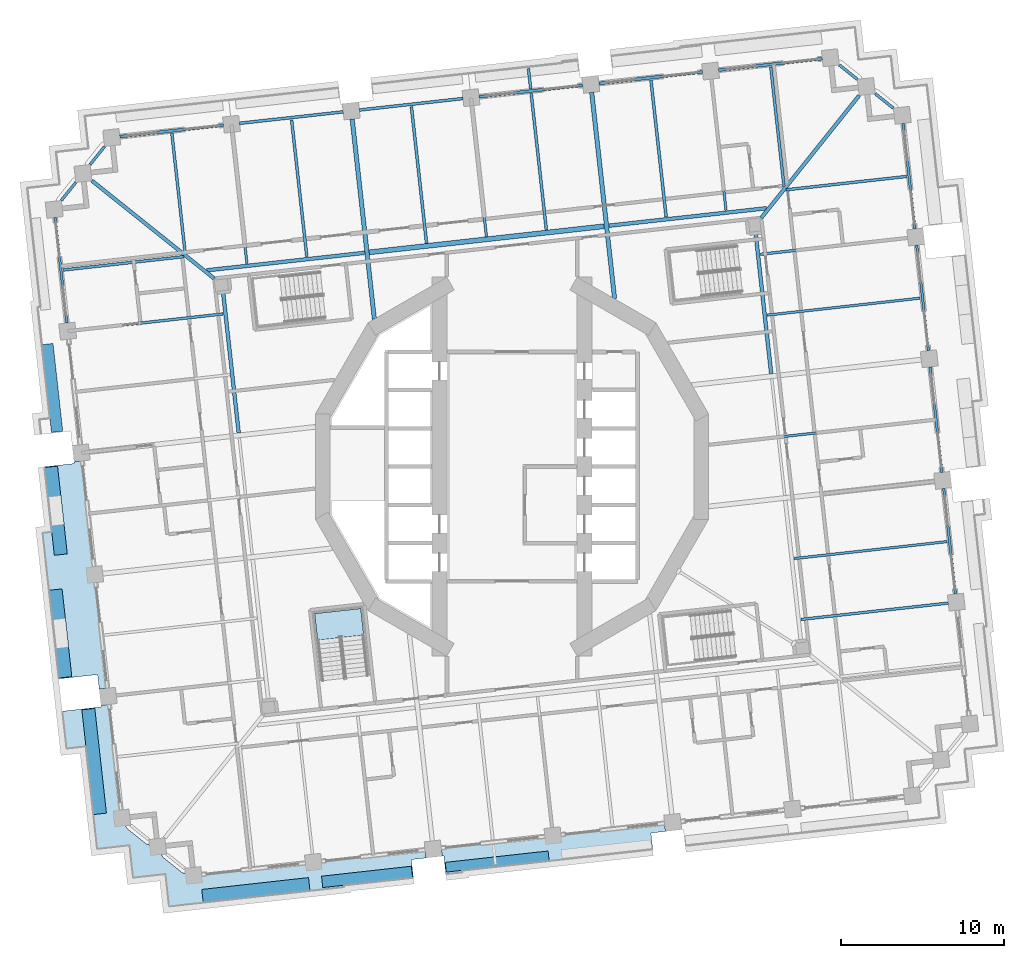
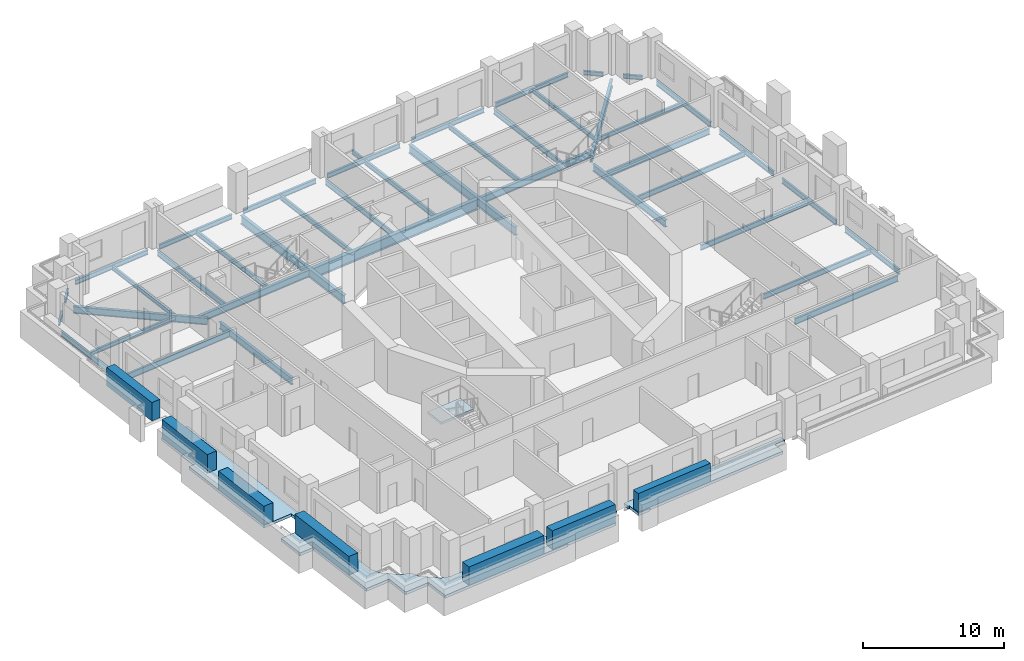
# One storey, part 2 of 19: 42 beams, 7 plates, 4 slabs, 1 element without a shape of its own.
"""IFC4 building model written with IfcOpenShell, lengths in metres."""

from ifc_helpers import new_model, si_unit, direction, frame, origin, origin_2d, place, context, subcontext, project, spatial, polyline, rectangle, i_section, outline, extrude, material, layer, layer_set, material_profile, profile_set, type_object, element, aggregate, save


model = new_model("IFC4")

# Units and contexts
model_context = context("Model", 3, precision=1e-05, world=origin(), true_north=direction((0.0, 1.0)))
body_context = subcontext(model_context, "Body", "Model", "MODEL_VIEW")
ifc_project = project(units=[si_unit("LENGTHUNIT", "METRE"), si_unit("AREAUNIT", "SQUARE_METRE"), si_unit("VOLUMEUNIT", "CUBIC_METRE"), si_unit("PLANEANGLEUNIT", "RADIAN"), si_unit("MASSUNIT", "GRAM", prefix="KILO")], contexts=[model_context])

# Site, building, storey
site_placement = place(None, origin())
site = spatial("IfcSite", under=ifc_project, at=site_placement, CompositionType="ELEMENT")
building_placement = place(site_placement, origin())
building = spatial("IfcBuilding", under=site, at=building_placement, Name="Cantera Rosa Tower", CompositionType="ELEMENT")
storey_placement = place(building_placement, frame((0.0, 0.0, 53.89990234375)))
storey = spatial("IfcBuildingStorey", under=building, at=storey_placement, Name="L10", CompositionType="ELEMENT", Elevation=53.89990234375)

# Beams
ifc_material_1 = material(Name="Steel ASTM A992 (Fy 345 MPa)", Category="steel")
ifc_material_profile_1 = material_profile(ifc_material_1, i_section(OverallWidth=0.154052734375, OverallDepth=0.4599609375, WebThickness=0.009033203125, FlangeThickness=0.015380859375, FilletRadius=0.01025390625, at=origin_2d()), Name="W460X68")
ifc_profile_set_1 = profile_set([ifc_material_profile_1], Name="Steel ASTM A992 (Fy 345 MPa)")
beam_type_1 = type_object("IfcBeamType", Name="STEEL BEAM W460X68", PredefinedType="BEAM", material=ifc_profile_set_1)
beam_1_placement = place(storey_placement, frame((12.249755859375, 23.796630859375, -0.47998046875), z_axis=(0.110312435488, -0.993896959738, 0.0), x_axis=(0.993896959738, 0.110312435488, 0.0)))
element("IfcBeam", 1, at=beam_1_placement, inside=storey, type_object=beam_type_1, Name="G-Z1-05 L10", PredefinedType="BEAM", context=body_context, shape_type="SweptSolid", body=[
    extrude(i_section(OverallWidth=0.154052734375, OverallDepth=0.4599609375, WebThickness=0.009033203125, FlangeThickness=0.015380859375, FilletRadius=0.01025390625, at=origin_2d()), origin(), (0.0, 0.0, 1.0), 8.10009765625),
])
for number, where, z_axis, x_axis, name in (
    (2, (-2.4599609375, 22.163818359375, -0.47998046875), (0.110315740112, -0.993896592953, 0.0), (0.993896592953, 0.110315740112, 0.0), "G-Z1-07 L10"),
    (3, (-17.169677734375, 20.53125, -0.47998046875), (0.110315740112, -0.993896592953, 0.0), (0.993896592953, 0.110315740112, 0.0), "G-Z1-09 L10"),
):
    element("IfcBeam", number, at=place(storey_placement, frame(where, z_axis=z_axis, x_axis=x_axis)), inside=storey, type_object=beam_type_1, Name=name, PredefinedType="BEAM", context=body_context, shape_type="SweptSolid", body=[
        extrude(i_section(OverallWidth=0.154052734375, OverallDepth=0.4599609375, WebThickness=0.009033203125, FlangeThickness=0.015380859375, FilletRadius=0.01025390625, at=origin_2d()), origin(), (0.0, 0.0, 1.0), 8.099853515625),
    ])
ifc_material_2 = material(Name="Steel ASTM A992 (Fy 345 MPa)", Category="steel")
ifc_material_profile_2 = material_profile(ifc_material_2, i_section(OverallWidth=0.166015625, OverallDepth=0.528076171875, WebThickness=0.009765625, FlangeThickness=0.013671875, FilletRadius=0.0126953125, at=origin_2d()), Name="W530X74")
ifc_profile_set_2 = profile_set([ifc_material_profile_2], Name="Steel ASTM A992 (Fy 345 MPa)")
beam_type_2 = type_object("IfcBeamType", Name="STEEL BEAM W530X74", PredefinedType="BEAM", material=ifc_profile_set_2)
for number, where, z_axis, x_axis, name in (
    (4, (26.78759765625, -8.376220703125, -0.513916015625), (-0.993899428859, -0.110290186845, 0.0), (0.110290186845, -0.993899428859, 0.0), "G-Z1-01 L10"),
    (5, (24.298828125, 14.046142578125, -0.513916015625), (-0.993896161189, -0.110319630049, 0.0), (0.110319630049, -0.993896161189, 0.0), "G-Z1-04 L10"),
    (6, (-26.78759765625, 8.376220703125, -0.513916015625), (0.993899428859, 0.110290186845, 0.0), (-0.110290186845, 0.993899428859, 0.0), "G-Z1-15 L10"),
):
    element("IfcBeam", number, at=place(storey_placement, frame(where, z_axis=z_axis, x_axis=x_axis)), inside=storey, type_object=beam_type_2, Name=name, PredefinedType="BEAM", context=body_context, shape_type="SweptSolid", body=[
        extrude(i_section(OverallWidth=0.166015625, OverallDepth=0.528076171875, WebThickness=0.009765625, FlangeThickness=0.013671875, FilletRadius=0.0126953125, at=origin_2d()), origin(), (0.0, 0.0, 1.0), 9.10009765625),
    ])
ifc_material_3 = material(Name="Steel ASTM A992 (Fy 345 MPa)", Category="steel")
ifc_material_profile_3 = material_profile(ifc_material_3, i_section(OverallWidth=0.22802734375, OverallDepth=0.60205078125, WebThickness=0.010498046875, FlangeThickness=0.014892578125, FilletRadius=0.0126953125, at=origin_2d()), Name="W610X101")
ifc_profile_set_3 = profile_set([ifc_material_profile_3], Name="Steel ASTM A992 (Fy 345 MPa)")
beam_type_3 = type_object("IfcBeamType", Name="STEEL BEAM W610X101", PredefinedType="BEAM", material=ifc_profile_set_3)
beam_2_placement = place(storey_placement, frame((21.31591796875, 22.79052734375, -0.55078125), z_axis=(-0.624787924463, -0.780794498857, 0.0), x_axis=(0.780794498857, -0.624787924463, 0.0)))
element("IfcBeam", 7, at=beam_2_placement, inside=storey, type_object=beam_type_3, Name="CB-Z1-01 L10", PredefinedType="BEAM", context=body_context, shape_type="SweptSolid", body=[
    extrude(i_section(OverallWidth=0.22802734375, OverallDepth=0.60205078125, WebThickness=0.010498046875, FlangeThickness=0.014892578125, FilletRadius=0.0126953125, at=origin_2d()), origin(), (0.0, 0.0, 1.0), 9.616455078125),
])
beam_3_placement = place(storey_placement, frame((-25.794677734375, 17.561767578125, -0.55078125), z_axis=(0.78078211406, -0.62480340137, 0.0), x_axis=(0.62480340137, 0.78078211406, 0.0)))
element("IfcBeam", 8, at=beam_3_placement, inside=storey, type_object=beam_type_3, Name="CB-Z1-02 L10", PredefinedType="BEAM", context=body_context, shape_type="SweptSolid", body=[
    extrude(i_section(OverallWidth=0.22802734375, OverallDepth=0.60205078125, WebThickness=0.010498046875, FlangeThickness=0.014892578125, FilletRadius=0.0126953125, at=origin_2d()), origin(), (0.0, 0.0, 1.0), 9.61669921875),
])
for number, where, z_axis, x_axis, name in (
    (9, (15.918212890625, 5.70068359375, -0.55078125), (-0.110298932846, 0.993898458301, 0.0), (-0.993898458301, -0.110298932846, 0.0), "RB-Z1-09 L10"),
    (10, (-16.781005859375, 2.071533203125, -0.55078125), (-0.110298932846, 0.993898458301, 0.0), (-0.993898458301, -0.110298932846, 0.0), "RB-Z1-12 L10"),
):
    element("IfcBeam", number, at=place(storey_placement, frame(where, z_axis=z_axis, x_axis=x_axis)), inside=storey, type_object=beam_type_3, Name=name, PredefinedType="BEAM", context=body_context, shape_type="SweptSolid", body=[
        extrude(i_section(OverallWidth=0.22802734375, OverallDepth=0.60205078125, WebThickness=0.010498046875, FlangeThickness=0.014892578125, FilletRadius=0.0126953125, at=origin_2d()), origin(), (0.0, 0.0, 1.0), 8.68994140625),
    ])
ifc_material_4 = material(Name="Steel ASTM A992 (Fy 345 MPa)", Category="steel")
ifc_material_profile_4 = material_profile(ifc_material_4, i_section(OverallWidth=0.22900390625, OverallDepth=0.612060546875, WebThickness=0.011962890625, FlangeThickness=0.01953125, FilletRadius=0.0126953125, at=origin_2d()), Name="W610X125")
ifc_profile_set_4 = profile_set([ifc_material_profile_4], Name="Steel ASTM A992 (Fy 345 MPa)")
beam_type_4 = type_object("IfcBeamType", Name="STEEL BEAM W610X125", PredefinedType="BEAM", material=ifc_profile_set_4)
beam_4_placement = place(storey_placement, frame((-18.744384765625, 12.055908203125, -0.555908203125), z_axis=(0.993898383269, 0.110299608956, 0.0), x_axis=(-0.110299608956, 0.993898383269, 0.0)))
element("IfcBeam", 11, at=beam_4_placement, inside=storey, type_object=beam_type_4, Name="RB-Z1-01 L10", PredefinedType="BEAM", context=body_context, shape_type="SweptSolid", body=[
    extrude(i_section(OverallWidth=0.22900390625, OverallDepth=0.612060546875, WebThickness=0.011962890625, FlangeThickness=0.01953125, FilletRadius=0.0126953125, at=origin_2d()), origin(), (0.0, 0.0, 1.0), 9.750244140625),
])
beam_5_placement = place(storey_placement, frame((5.9541015625, 14.797119140625, -0.555908203125), z_axis=(0.993898078625, 0.110302354035, 0.0), x_axis=(-0.110302354035, 0.993898078625, 0.0)))
element("IfcBeam", 12, at=beam_5_placement, inside=storey, type_object=beam_type_4, Name="RB-Z1-03 L10", PredefinedType="BEAM", context=body_context, shape_type="SweptSolid", body=[
    extrude(i_section(OverallWidth=0.22900390625, OverallDepth=0.612060546875, WebThickness=0.011962890625, FlangeThickness=0.01953125, FilletRadius=0.0126953125, at=origin_2d()), origin(), (0.0, 0.0, 1.0), 9.75),
])
ifc_material_5 = material(Name="Steel ASTM A992 (Fy 345 MPa)", Category="steel")
ifc_material_profile_5 = material_profile(ifc_material_5, i_section(OverallWidth=0.26708984375, OverallDepth=0.75390625, WebThickness=0.01318359375, FlangeThickness=0.01708984375, FilletRadius=0.0166015625, at=origin_2d()), Name="W760X147")
ifc_profile_set_5 = profile_set([ifc_material_profile_5], Name="Steel ASTM A992 (Fy 345 MPa)")
beam_type_5 = type_object("IfcBeamType", Name="STEEL BEAM W760X147", PredefinedType="BEAM", material=ifc_profile_set_5)
beam_6_placement = place(storey_placement, frame((4.894775390625, 22.980224609375, -0.626953125), z_axis=(0.11031177493, -0.993897033053, 0.0), x_axis=(0.993897033053, 0.11031177493, 0.0)))
element("IfcBeam", 13, at=beam_6_placement, inside=storey, type_object=beam_type_5, Name="G-Z1-06 L10", PredefinedType="BEAM", context=body_context, shape_type="SweptSolid", body=[
    extrude(i_section(OverallWidth=0.26708984375, OverallDepth=0.75390625, WebThickness=0.01318359375, FlangeThickness=0.01708984375, FilletRadius=0.0166015625, at=origin_2d()), origin(), (0.0, 0.0, 1.0), 12.754638671875),
])
beam_7_placement = place(storey_placement, frame((-9.814697265625, 21.34765625, -0.626953125), z_axis=(0.110292782244, -0.993899140851, 0.0), x_axis=(0.993899140851, 0.110292782244, 0.0)))
element("IfcBeam", 14, at=beam_7_placement, inside=storey, type_object=beam_type_5, Name="G-Z1-08 L10", PredefinedType="BEAM", context=body_context, shape_type="SweptSolid", body=[
    extrude(i_section(OverallWidth=0.26708984375, OverallDepth=0.75390625, WebThickness=0.01318359375, FlangeThickness=0.01708984375, FilletRadius=0.0166015625, at=origin_2d()), origin(), (0.0, 0.0, 1.0), 12.360595703125),
])
ifc_material_6 = material(Name="Steel ASTM A992 (Fy 345 MPa)", Category="steel")
ifc_material_profile_6 = material_profile(ifc_material_6, i_section(OverallWidth=0.304931640625, OverallDepth=0.9189453125, WebThickness=0.017333984375, FlangeThickness=0.02783203125, FilletRadius=0.01904296875, at=origin_2d()), Name="W920X253")
ifc_profile_set_6 = profile_set([ifc_material_profile_6], Name="Steel ASTM A992 (Fy 345 MPa)")
beam_type_6 = type_object("IfcBeamType", Name="STEEL BEAM W920X253", PredefinedType="BEAM", material=ifc_profile_set_6)
beam_8_placement = place(storey_placement, frame((-8.755615234375, 13.16455078125, -0.70947265625), z_axis=(0.993898099692, 0.110302164209, 0.0), x_axis=(-0.110302164209, 0.993898099692, 0.0)))
element("IfcBeam", 15, at=beam_8_placement, inside=storey, type_object=beam_type_6, Name="RB-Z1-02 L10", PredefinedType="BEAM", context=body_context, shape_type="SweptSolid", body=[
    extrude(i_section(OverallWidth=0.304931640625, OverallDepth=0.9189453125, WebThickness=0.017333984375, FlangeThickness=0.02783203125, FilletRadius=0.01904296875, at=origin_2d()), origin(), (0.0, 0.0, 1.0), 14.499755859375),
])
ifc_material_7 = material(Name="Steel ASTM A992 (Fy 345 MPa)", Category="steel")
ifc_material_profile_7 = material_profile(ifc_material_7, i_section(OverallWidth=0.1708984375, OverallDepth=0.35595703125, WebThickness=0.00732421875, FlangeThickness=0.01171875, FilletRadius=0.010009765625, at=origin_2d()), Name="W360X51")
ifc_profile_set_7 = profile_set([ifc_material_profile_7], Name="Steel ASTM A992 (Fy 345 MPa)")
beam_type_7 = type_object("IfcBeamType", Name="STEEL JOIST W360X51", PredefinedType="JOIST", material=ifc_profile_set_7)
beam_9_placement = place(storey_placement, frame((24.23193359375, 17.82177734375, -0.427978515625), z_axis=(-0.993899688369, -0.110287848199, 0.0), x_axis=(0.110287848199, -0.993899688369, 0.0)))
element("IfcBeam", 16, at=beam_9_placement, inside=storey, type_object=beam_type_7, Name="B-Z1-05 L10", PredefinedType="JOIST", context=body_context, shape_type="SweptSolid", body=[
    extrude(i_section(OverallWidth=0.1708984375, OverallDepth=0.35595703125, WebThickness=0.00732421875, FlangeThickness=0.01171875, FilletRadius=0.010009765625, at=origin_2d()), origin(), (0.0, 0.0, 1.0), 7.4599609375),
])
for number, where, z_axis, x_axis, name in (
    (17, (15.888427734375, 24.552490234375, -0.427978515625), (0.110326513132, -0.993895397162, 0.0), (0.993895397162, 0.110326513132, 0.0), "B-Z1-06 L10"),
    (18, (-20.8857421875, 20.470947265625, -0.427978515625), (0.110326513132, -0.993895397162, 0.0), (0.993895397162, 0.110326513132, 0.0), "B-Z1-11 L10"),
):
    element("IfcBeam", number, at=place(storey_placement, frame(where, z_axis=z_axis, x_axis=x_axis)), inside=storey, type_object=beam_type_7, Name=name, PredefinedType="JOIST", context=body_context, shape_type="SweptSolid", body=[
        extrude(i_section(OverallWidth=0.1708984375, OverallDepth=0.35595703125, WebThickness=0.00732421875, FlangeThickness=0.01171875, FilletRadius=0.010009765625, at=origin_2d()), origin(), (0.0, 0.0, 1.0), 7.39990234375),
    ])
beam_10_placement = place(storey_placement, frame((-27.550048828125, 12.074462890625, -0.427978515625), z_axis=(0.993895702238, 0.110323764768, 0.0), x_axis=(-0.110323764768, 0.993895702238, 0.0)))
element("IfcBeam", 19, at=beam_10_placement, inside=storey, type_object=beam_type_7, Name="B-Z1-18 L10", PredefinedType="JOIST", context=body_context, shape_type="SweptSolid", body=[
    extrude(i_section(OverallWidth=0.1708984375, OverallDepth=0.35595703125, WebThickness=0.00732421875, FlangeThickness=0.01171875, FilletRadius=0.010009765625, at=origin_2d()), origin(), (0.0, 0.0, 1.0), 7.4599609375),
])
beam_11_placement = place(storey_placement, frame((1.14794921875, 23.1982421875, -0.427978515625), z_axis=(-0.110345783203, 0.993893257915, 0.0), x_axis=(-0.993893257915, -0.110345783203, 0.0)))
element("IfcBeam", 20, at=beam_11_placement, inside=storey, type_object=beam_type_7, Name="BS-Z1-05 L10", PredefinedType="JOIST", context=body_context, shape_type="SweptSolid", body=[
    extrude(i_section(OverallWidth=0.1708984375, OverallDepth=0.35595703125, WebThickness=0.00732421875, FlangeThickness=0.01171875, FilletRadius=0.010009765625, at=origin_2d()), origin(), (0.0, 0.0, 1.0), 1.25),
])
ifc_material_8 = material(Name="Steel ASTM A992 (Fy 345 MPa)", Category="steel")
ifc_material_profile_8 = material_profile(ifc_material_8, i_section(OverallWidth=0.177978515625, OverallDepth=0.406005859375, WebThickness=0.0078125, FlangeThickness=0.0126953125, FilletRadius=0.01025390625, at=origin_2d()), Name="W410X60")
ifc_profile_set_8 = profile_set([ifc_material_profile_8], Name="Steel ASTM A992 (Fy 345 MPa)")
beam_type_8 = type_object("IfcBeamType", Name="STEEL JOIST W410X60", PredefinedType="JOIST", material=ifc_profile_set_8)
for number, where, z_axis, x_axis, name in (
    (21, (8.53369140625, 23.736328125, -0.452880859375), (0.110311022989, -0.99389711651, 0.0), (0.99389711651, 0.110311022989, 0.0), "B-Z1-07 L10"),
    (22, (1.178955078125, 22.919921875, -0.452880859375), (0.110311022989, -0.99389711651, 0.0), (0.99389711651, 0.110311022989, 0.0), "B-Z1-08 L10"),
    (23, (-6.176025390625, 22.103515625, -0.452880859375), (0.110311022989, -0.99389711651, 0.0), (0.99389711651, 0.110311022989, 0.0), "B-Z1-09 L10"),
    (24, (-13.53076171875, 21.287353515625, -0.452880859375), (0.110311022989, -0.99389711651, 0.0), (0.99389711651, 0.110311022989, 0.0), "B-Z1-10 L10"),
):
    element("IfcBeam", number, at=place(storey_placement, frame(where, z_axis=z_axis, x_axis=x_axis)), inside=storey, type_object=beam_type_8, Name=name, PredefinedType="JOIST", context=body_context, shape_type="SweptSolid", body=[
        extrude(i_section(OverallWidth=0.177978515625, OverallDepth=0.406005859375, WebThickness=0.0078125, FlangeThickness=0.0126953125, FilletRadius=0.01025390625, at=origin_2d()), origin(), (0.0, 0.0, 1.0), 8.449951171875),
    ])
ifc_material_9 = material(Name="Steel ASTM A992 (Fy 345 MPa)", Category="steel")
ifc_material_profile_9 = material_profile(ifc_material_9, i_section(OverallWidth=0.154052734375, OverallDepth=0.4599609375, WebThickness=0.009033203125, FlangeThickness=0.015380859375, FilletRadius=0.01025390625, at=origin_2d()), Name="W460X68")
ifc_profile_set_9 = profile_set([ifc_material_profile_9], Name="Steel ASTM A992 (Fy 345 MPa)")
beam_type_9 = type_object("IfcBeamType", Name="STEEL JOIST W460X68", PredefinedType="JOIST", material=ifc_profile_set_9)
for number, where, z_axis, x_axis, name in (
    (25, (26.720458984375, -4.600341796875, -0.47998046875), (-0.993896645353, -0.110315268011, 0.0), (0.110315268011, -0.993896645353, 0.0), "B-Z1-02 L10"),
    (26, (25.89111328125, 2.87353515625, -0.47998046875), (-0.993899477629, -0.110289747342, 0.0), (0.110289747342, -0.993899477629, 0.0), "B-Z1-03 L10"),
    (27, (25.0615234375, 10.34765625, -0.47998046875), (-0.993896645353, -0.110315268011, 0.0), (0.110315268011, -0.993896645353, 0.0), "B-Z1-04 L10"),
):
    element("IfcBeam", number, at=place(storey_placement, frame(where, z_axis=z_axis, x_axis=x_axis)), inside=storey, type_object=beam_type_9, Name=name, PredefinedType="JOIST", context=body_context, shape_type="SweptSolid", body=[
        extrude(i_section(OverallWidth=0.154052734375, OverallDepth=0.4599609375, WebThickness=0.009033203125, FlangeThickness=0.015380859375, FilletRadius=0.01025390625, at=origin_2d()), origin(), (0.0, 0.0, 1.0), 9.449951171875),
    ])
ifc_material_10 = material(Name="Steel ASTM A992 (Fy 345 MPa)", Category="steel")
ifc_material_profile_10 = material_profile(ifc_material_10, i_section(OverallWidth=0.1708984375, OverallDepth=0.35595703125, WebThickness=0.00732421875, FlangeThickness=0.01171875, FilletRadius=0.010009765625, at=origin_2d()), Name="W360X51")
ifc_profile_set_10 = profile_set([ifc_material_profile_10], Name="Steel ASTM A992 (Fy 345 MPa)")
beam_type_10 = type_object("IfcBeamType", Name="STEEL SPANDREL BEAM W360X51", PredefinedType="SPANDREL", material=ifc_profile_set_10)
for number, where, z_axis, x_axis, name in (
    (28, (23.4140625, 22.017333984375, -0.427978515625), (-0.780818280208, 0.624758203863, 0.0), (-0.624758203863, -0.780818280208, 0.0), "EB-Z1-06 L10"),
    (29, (21.205810546875, 23.784423828125, -0.427978515625), (-0.780818280208, 0.624758203863, 0.0), (-0.624758203863, -0.780818280208, 0.0), "EB-Z1-07 L10"),
    (30, (-25.021484375, 19.659912109375, -0.427978515625), (-0.624758203863, -0.780818280208, 0.0), (0.780818280208, -0.624758203863, 0.0), "EB-Z1-14 L10"),
    (31, (-26.78857421875, 17.451416015625, -0.427978515625), (-0.624758203863, -0.780818280208, 0.0), (0.780818280208, -0.624758203863, 0.0), "EB-Z1-15 L10"),
):
    element("IfcBeam", number, at=place(storey_placement, frame(where, z_axis=z_axis, x_axis=x_axis)), inside=storey, type_object=beam_type_10, Name=name, PredefinedType="SPANDREL", context=body_context, shape_type="SweptSolid", body=[
        extrude(i_section(OverallWidth=0.1708984375, OverallDepth=0.35595703125, WebThickness=0.00732421875, FlangeThickness=0.01171875, FilletRadius=0.010009765625, at=origin_2d()), origin(), (0.0, 0.0, 1.0), 1.414306640625),
    ])
ifc_material_11 = material(Name="Steel ASTM A992 (Fy 345 MPa)", Category="steel")
ifc_material_profile_11 = material_profile(ifc_material_11, i_section(OverallWidth=0.177978515625, OverallDepth=0.406005859375, WebThickness=0.0078125, FlangeThickness=0.0126953125, FilletRadius=0.01025390625, at=origin_2d()), Name="W410X60")
ifc_profile_set_11 = profile_set([ifc_material_profile_11], Name="Steel ASTM A992 (Fy 345 MPa)")
beam_type_11 = type_object("IfcBeamType", Name="STEEL SPANDREL BEAM W410X60", PredefinedType="SPANDREL", material=ifc_profile_set_11)
beam_12_placement = place(storey_placement, frame((19.052490234375, 25.0546875, -0.452880859375), z_axis=(-0.993896288542, -0.110318482689, 0.0), x_axis=(0.110318482689, -0.993896288542, 0.0)))
element("IfcBeam", 32, at=beam_12_placement, inside=storey, type_object=beam_type_11, Name="EB-Z1-08 L10", PredefinedType="SPANDREL", context=body_context, shape_type="SweptSolid", body=[
    extrude(i_section(OverallWidth=0.177978515625, OverallDepth=0.406005859375, WebThickness=0.0078125, FlangeThickness=0.0126953125, FilletRadius=0.01025390625, at=origin_2d()), origin(), (0.0, 0.0, 1.0), 6.400146484375),
])
for number, where, z_axis, x_axis, name in (
    (33, (11.697509765625, 24.23828125, -0.452880859375), (-0.993895824271, -0.110322665379, 0.0), (0.110322665379, -0.993895824271, 0.0), "EB-Z1-09 L10"),
    (34, (4.3427734375, 23.422119140625, -0.452880859375), (-0.993895824271, -0.110322665379, 0.0), (0.110322665379, -0.993895824271, 0.0), "EB-Z1-10 L10"),
):
    element("IfcBeam", number, at=place(storey_placement, frame(where, z_axis=z_axis, x_axis=x_axis)), inside=storey, type_object=beam_type_11, Name=name, PredefinedType="SPANDREL", context=body_context, shape_type="SweptSolid", body=[
        extrude(i_section(OverallWidth=0.177978515625, OverallDepth=0.406005859375, WebThickness=0.0078125, FlangeThickness=0.0126953125, FilletRadius=0.01025390625, at=origin_2d()), origin(), (0.0, 0.0, 1.0), 6.39990234375),
    ])
beam_13_placement = place(storey_placement, frame((-3.011962890625, 22.605712890625, -0.452880859375), z_axis=(-0.993896288542, -0.110318482689, 0.0), x_axis=(0.110318482689, -0.993896288542, 0.0)))
element("IfcBeam", 35, at=beam_13_placement, inside=storey, type_object=beam_type_11, Name="EB-Z1-11 L10", PredefinedType="SPANDREL", context=body_context, shape_type="SweptSolid", body=[
    extrude(i_section(OverallWidth=0.177978515625, OverallDepth=0.406005859375, WebThickness=0.0078125, FlangeThickness=0.0126953125, FilletRadius=0.01025390625, at=origin_2d()), origin(), (0.0, 0.0, 1.0), 6.400146484375),
])
beam_14_placement = place(storey_placement, frame((-10.366943359375, 21.789306640625, -0.452880859375), z_axis=(-0.993900006422, -0.110284981906, 0.0), x_axis=(0.110284981906, -0.993900006422, 0.0)))
element("IfcBeam", 36, at=beam_14_placement, inside=storey, type_object=beam_type_11, Name="EB-Z1-12 L10", PredefinedType="SPANDREL", context=body_context, shape_type="SweptSolid", body=[
    extrude(i_section(OverallWidth=0.177978515625, OverallDepth=0.406005859375, WebThickness=0.0078125, FlangeThickness=0.0126953125, FilletRadius=0.01025390625, at=origin_2d()), origin(), (0.0, 0.0, 1.0), 6.39990234375),
])
beam_15_placement = place(storey_placement, frame((-17.7216796875, 20.97314453125, -0.452880859375), z_axis=(-0.993896288542, -0.110318482689, 0.0), x_axis=(0.110318482689, -0.993896288542, 0.0)))
element("IfcBeam", 37, at=beam_15_placement, inside=storey, type_object=beam_type_11, Name="EB-Z1-13 L10", PredefinedType="SPANDREL", context=body_context, shape_type="SweptSolid", body=[
    extrude(i_section(OverallWidth=0.177978515625, OverallDepth=0.406005859375, WebThickness=0.0078125, FlangeThickness=0.0126953125, FilletRadius=0.01025390625, at=origin_2d()), origin(), (0.0, 0.0, 1.0), 6.400146484375),
])
ifc_material_12 = material(Name="Steel ASTM A992 (Fy 345 MPa)", Category="steel")
ifc_material_profile_12 = material_profile(ifc_material_12, i_section(OverallWidth=0.154052734375, OverallDepth=0.4599609375, WebThickness=0.009033203125, FlangeThickness=0.015380859375, FilletRadius=0.01025390625, at=origin_2d()), Name="W460X68")
ifc_profile_set_12 = profile_set([ifc_material_profile_12], Name="Steel ASTM A992 (Fy 345 MPa)")
beam_type_12 = type_object("IfcBeamType", Name="STEEL SPANDREL BEAM W460X68", PredefinedType="SPANDREL", material=ifc_profile_set_12)
for number, where, z_axis, x_axis, name in (
    (38, (27.229248046875, -7.823974609375, -0.47998046875), (-0.110312341265, 0.993896970196, 0.0), (-0.993896970196, -0.110312341265, 0.0), "EB-Z1-02 L10"),
    (39, (26.399658203125, -0.349853515625, -0.47998046875), (-0.110312341265, 0.993896970196, 0.0), (-0.993896970196, -0.110312341265, 0.0), "EB-Z1-03 L10"),
    (40, (25.570068359375, 7.124267578125, -0.47998046875), (-0.110312341265, 0.993896970196, 0.0), (-0.993896970196, -0.110312341265, 0.0), "EB-Z1-04 L10"),
    (41, (24.74072265625, 14.598388671875, -0.47998046875), (-0.110312341265, 0.993896970196, 0.0), (-0.993896970196, -0.110312341265, 0.0), "EB-Z1-05 L10"),
    (42, (-28.058837890625, 15.298095703125, -0.47998046875), (0.110312341265, -0.993896970196, 0.0), (0.993896970196, 0.110312341265, 0.0), "EB-Z1-16 L10"),
):
    element("IfcBeam", number, at=place(storey_placement, frame(where, z_axis=z_axis, x_axis=x_axis)), inside=storey, type_object=beam_type_12, Name=name, PredefinedType="SPANDREL", context=body_context, shape_type="SweptSolid", body=[
        extrude(i_section(OverallWidth=0.154052734375, OverallDepth=0.4599609375, WebThickness=0.009033203125, FlangeThickness=0.015380859375, FilletRadius=0.01025390625, at=origin_2d()), origin(), (0.0, 0.0, 1.0), 6.52001953125),
    ])

# Slabs
ifc_material_13 = material(Name="Concrete C35/45", Category="concrete")
ifc_layer_1 = layer(ifc_material_13, 0.25)
ifc_layer_set_1 = layer_set([ifc_layer_1], Name="LOGGIA SLAB 250 C35/45")
slab_type_1 = type_object("IfcSlabType", Name="LOGGIA SLAB 250 C35/45", PredefinedType="FLOOR", material=ifc_layer_set_1)
slab_1_placement = place(storey_placement, frame((0.0, 0.0, -0.25)))
element("IfcSlab", 43, at=slab_1_placement, inside=storey, type_object=slab_type_1, Name="LOGGIA SLAB L10 1", PredefinedType="FLOOR", context=body_context, shape_type="SweptSolid", body=[
    extrude(outline(polyline([(-26.399658203125, 0.349853515625), (-24.850830078125, -13.6044921875), (-25.347900390625, -13.65966796875), (-25.447265625, -12.764892578125), (-27.8203125, -13.0283203125), (-28.813720703125, -4.07568359375), (-28.260498046875, -4.014404296875), (-28.705322265625, -0.006591796875), (-26.885498046875, 0.1953125), (-26.896728515625, 0.294921875), (-26.399658203125, 0.349853515625)])), origin(), (0.0, 0.0, 1.0), 0.25),
])
slab_2_placement = place(storey_placement, frame((0.0, 0.0, -0.25)))
element("IfcSlab", 44, at=slab_2_placement, inside=storey, type_object=slab_type_1, Name="LOGGIA SLAB L10 3", PredefinedType="FLOOR", context=body_context, shape_type="SweptSolid", body=[
    extrude(outline(polyline([(-21.272216796875, -24.999267578125), (-21.5703125, -25.0322265625), (-23.260009765625, -25.2197265625), (-23.447509765625, -23.5302734375), (-23.48046875, -23.23193359375), (-23.77880859375, -23.26513671875), (-25.46826171875, -23.45263671875), (-25.65576171875, -21.762939453125), (-26.1669921875, -17.15869140625), (-27.34716796875, -17.289794921875), (-27.599609375, -15.01611328125), (-25.2265625, -14.752685546875), (-25.237548828125, -14.653564453125), (-24.740478515625, -14.598388671875), (-23.96630859375, -21.575439453125), (-23.677001953125, -22.161865234375), (-23.66162109375, -22.18701171875), (-23.643798828125, -22.21044921875), (-23.62353515625, -22.23193359375), (-23.6015625, -22.25146484375), (-22.497314453125, -23.135009765625), (-22.473388671875, -23.15234375), (-22.447998046875, -23.1669921875), (-22.42138671875, -23.179443359375), (-22.393310546875, -23.18896484375), (-21.7578125, -23.342529296875), (-21.468505859375, -23.92919921875), (-21.453125, -23.9541015625), (-21.435302734375, -23.9775390625), (-21.415283203125, -23.999267578125), (-21.39306640625, -24.018798828125), (-20.288818359375, -24.902099609375), (-20.26513671875, -24.91943359375), (-20.239501953125, -24.934326171875), (-20.212890625, -24.946533203125), (-20.18505859375, -24.9560546875), (-19.54931640625, -25.10986328125), (-18.642578125, -25.00927734375), (-5.336669921875, -23.5322265625), (-5.281494140625, -24.029296875), (-6.176025390625, -24.12841796875), (-6.05419921875, -25.2255859375), (-10.327880859375, -25.699951171875), (-10.3173828125, -25.795654296875), (-19.36181640625, -26.79931640625), (-21.051513671875, -26.98681640625), (-21.239013671875, -25.29736328125), (-21.272216796875, -24.999267578125)])), origin(), (0.0, 0.0, 1.0), 0.25),
])
slab_3_placement = place(storey_placement, frame((0.0, 0.0, -0.25)))
element("IfcSlab", 45, at=slab_3_placement, inside=storey, type_object=slab_type_1, Name="LOGGIA SLAB L10 5", PredefinedType="FLOOR", context=body_context, shape_type="SweptSolid", body=[
    extrude(outline(polyline([(9.373046875, -21.899658203125), (9.42822265625, -22.396484375), (8.53369140625, -22.495849609375), (8.64404296875, -23.48974609375), (8.544677734375, -23.5009765625), (4.17138671875, -23.986083984375), (1.189697265625, -24.317138671875), (-3.080078125, -24.791015625), (-3.068603515625, -24.894287109375), (-4.06640625, -25.005126953125), (-4.188232421875, -23.907958984375), (-4.28759765625, -23.9189453125), (-4.3427734375, -23.422119140625), (9.373046875, -21.899658203125)])), origin(), (0.0, 0.0, 1.0), 0.25),
])

# Plates
ifc_material_14 = material(Name="Cantera stone planter with soil", Category="masonry")
plate_type_1 = type_object("IfcPlateType", Name="PLANTER 600", PredefinedType="USERDEFINED", material=ifc_material_14)
plate_1_placement = place(storey_placement, frame((-0.90576171875, -24.247802734375, 0.0), z_axis=(0.0, 0.0, 1.0), x_axis=(0.993896946415, 0.110312555526, 0.0)))
element("IfcPlate", 46, at=plate_1_placement, inside=storey, type_object=plate_type_1, Name="PLANTER L10-19", ObjectType="PLANTER", PredefinedType="USERDEFINED", context=body_context, shape_type="SweptSolid", body=[
    extrude(rectangle(XDim=6.35009765625, YDim=0.60009765625, at=origin_2d()), origin(), (0.0, 0.0, 1.0), 1.60009765625),
])
ifc_material_15 = material(Name="Cantera stone planter with soil", Category="masonry")
plate_type_2 = type_object("IfcPlateType", Name="PLANTER 700", PredefinedType="USERDEFINED", material=ifc_material_15)
plate_2_placement = place(storey_placement, frame((-28.2314453125, 4.835205078125, 0.0), z_axis=(0.0, 0.0, 1.0), x_axis=(0.110312555526, -0.993896946415, 0.0)))
element("IfcPlate", 47, at=plate_2_placement, inside=storey, type_object=plate_type_2, Name="PLANTER L10-13", ObjectType="PLANTER", PredefinedType="USERDEFINED", context=body_context, shape_type="SweptSolid", body=[
    extrude(rectangle(XDim=5.419921875, YDim=0.699951171875, at=origin_2d()), origin(), (0.0, 0.0, 1.0), 1.60009765625),
])
plate_3_placement = place(storey_placement, frame((-8.900634765625, -25.189453125, 0.0), z_axis=(0.0, 0.0, 1.0), x_axis=(0.993896946415, 0.110312555526, 0.0)))
element("IfcPlate", 48, at=plate_3_placement, inside=storey, type_object=plate_type_2, Name="PLANTER L10-18", ObjectType="PLANTER", PredefinedType="USERDEFINED", context=body_context, shape_type="SweptSolid", body=[
    extrude(rectangle(XDim=5.550048828125, YDim=0.699951171875, at=origin_2d()), origin(), (0.0, 0.0, 1.0), 1.60009765625),
])
ifc_material_16 = material(Name="Cantera stone planter with soil", Category="masonry")
plate_type_3 = type_object("IfcPlateType", Name="PLANTER 800", PredefinedType="USERDEFINED", material=ifc_material_16)
for number, where, z_axis, x_axis, name in (
    (49, (-28.00341796875, -2.70556640625, 0.0), (0.0, 0.0, 1.0), (0.110312555526, -0.993896946415, 0.0), "PLANTER L10-14"),
    (50, (-27.72705078125, -10.2412109375, 0.0), (0.0, 0.0, 1.0), (0.110312555526, -0.993896946415, 0.0), "PLANTER L10-15"),
):
    element("IfcPlate", number, at=place(storey_placement, frame(where, z_axis=z_axis, x_axis=x_axis)), inside=storey, type_object=plate_type_3, Name=name, ObjectType="PLANTER", PredefinedType="USERDEFINED", context=body_context, shape_type="SweptSolid", body=[
        extrude(rectangle(XDim=5.419921875, YDim=0.800048828125, at=origin_2d()), origin(), (0.0, 0.0, 1.0), 1.60009765625),
    ])
plate_4_placement = place(storey_placement, frame((-25.6591796875, -18.10595703125, 0.0), z_axis=(0.0, 0.0, 1.0), x_axis=(0.110312555526, -0.993896946415, 0.0)))
element("IfcPlate", 51, at=plate_4_placement, inside=storey, type_object=plate_type_3, Name="PLANTER L10-16", ObjectType="PLANTER", PredefinedType="USERDEFINED", context=body_context, shape_type="SweptSolid", body=[
    extrude(rectangle(XDim=6.469970703125, YDim=0.800048828125, at=origin_2d()), origin(), (0.0, 0.0, 1.0), 1.60009765625),
])
plate_5_placement = place(storey_placement, frame((-15.728515625, -25.99365234375, 0.0), z_axis=(0.0, 0.0, 1.0), x_axis=(0.993896946415, 0.110312555526, 0.0)))
element("IfcPlate", 52, at=plate_5_placement, inside=storey, type_object=plate_type_3, Name="PLANTER L10-17", ObjectType="PLANTER", PredefinedType="USERDEFINED", context=body_context, shape_type="SweptSolid", body=[
    extrude(rectangle(XDim=6.60009765625, YDim=0.800048828125, at=origin_2d()), origin(), (0.0, 0.0, 1.0), 1.60009765625),
])

# Stair, slab
ifc_material_17 = material(Name="Concrete C35/45", Category="concrete")
stair_type = type_object("IfcStairType", Name="EXIT STAIR 1350 DOGLEG", PredefinedType="HALF_TURN_STAIR", material=ifc_material_17)
stair_placement = place(storey_placement, origin())
stair = element("IfcStair", 53, at=stair_placement, inside=storey, type_object=stair_type, Name="L10 ST-13", PredefinedType="HALF_TURN_STAIR")
ifc_material_18 = material(Name="Concrete C35/45", Category="concrete")
ifc_layer_2 = layer(ifc_material_18, 0.199951171875)
ifc_layer_set_2 = layer_set([ifc_layer_2], Name="STAIR LANDING 200")
slab_type_2 = type_object("IfcSlabType", Name="STAIR LANDING 200", PredefinedType="LANDING", material=ifc_layer_set_2)
slab_4_placement = place(storey_placement, frame((0.0, 0.0, 1.7001953125)))
slab_4 = element("IfcSlab", 54, at=slab_4_placement, type_object=slab_type_2, Name="ST-13 landing 1", PredefinedType="LANDING", context=body_context, shape_type="SweptSolid", body=[
    extrude(outline(polyline([(-9.10595703125, -10.341552734375), (-9.287109375, -8.70947265625), (-12.11962890625, -9.02392578125), (-11.9384765625, -10.656005859375), (-9.10595703125, -10.341552734375)])), origin(), (0.0, 0.0, 1.0), 0.199951171875),
])
aggregate(stair, [slab_4])

save(model, "model.ifc")
